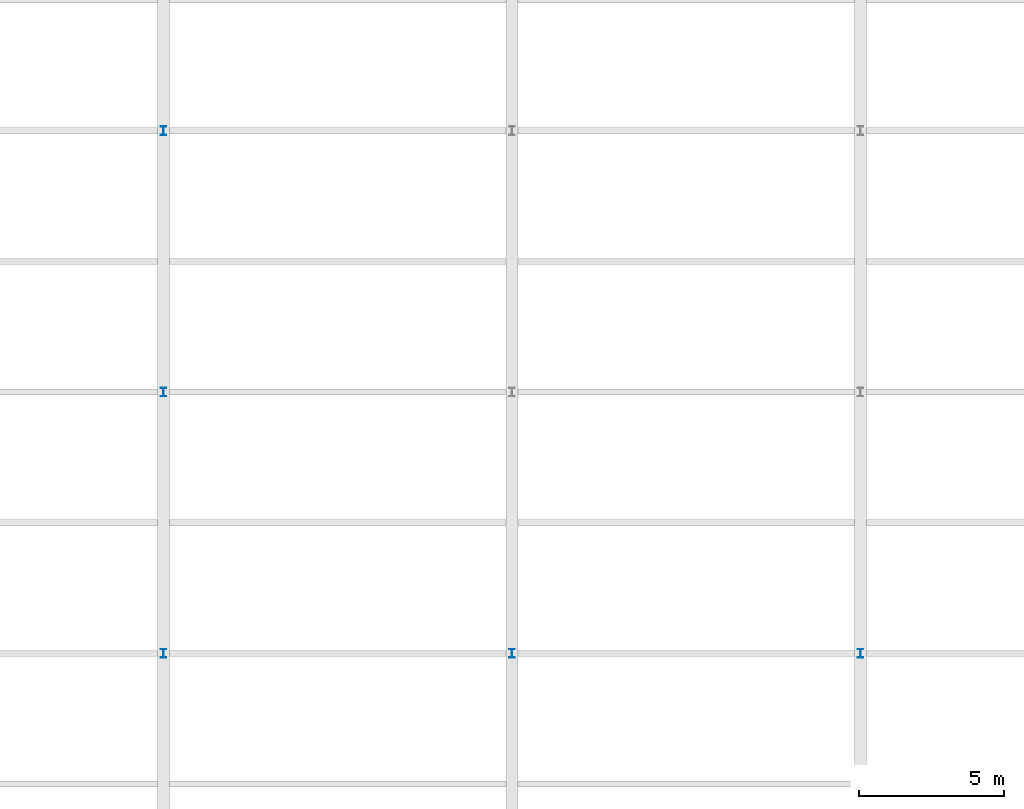
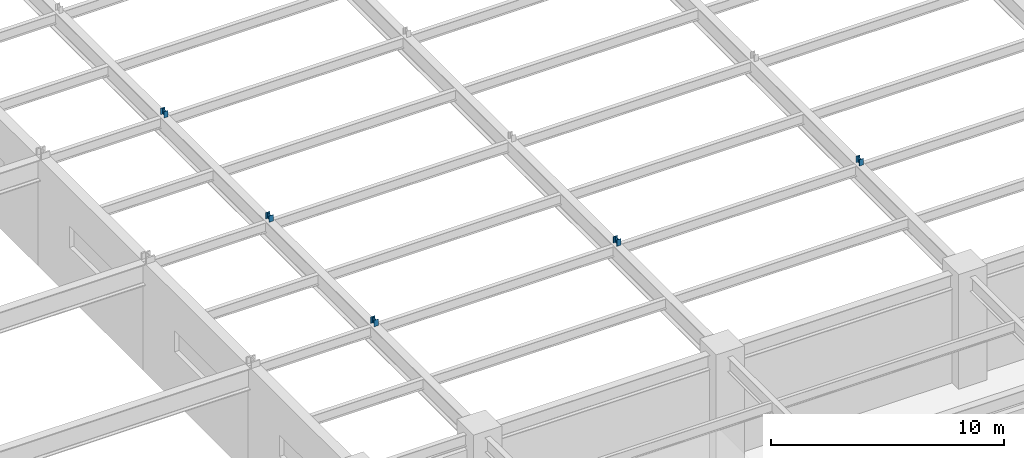
# One storey, part 71 of 105: 5 members.
"""IFC4 building model written with IfcOpenShell, lengths in metres."""

from ifc_helpers import new_model, si_unit, direction, frame, origin, origin_2d, place, context, subcontext, project, spatial, i_section, extrude, material, material_profile, profile_set, type_object, element, save


model = new_model("IFC4")

# Units and contexts
model_context = context("Model", 3, precision=1e-05, world=origin(), true_north=direction((0.0, 1.0)))
body_context = subcontext(model_context, "Body", "Model", "MODEL_VIEW")
ifc_project = project(units=[si_unit("LENGTHUNIT", "METRE"), si_unit("AREAUNIT", "SQUARE_METRE"), si_unit("VOLUMEUNIT", "CUBIC_METRE"), si_unit("PLANEANGLEUNIT", "RADIAN"), si_unit("MASSUNIT", "GRAM", prefix="KILO")], contexts=[model_context])

# Site, building, storey
site_placement = place(None, origin())
site = spatial("IfcSite", under=ifc_project, at=site_placement, CompositionType="ELEMENT")
building_placement = place(site_placement, origin())
building = spatial("IfcBuilding", under=site, at=building_placement, Name="Kaldorvane Square Convention Centre", CompositionType="ELEMENT")
storey_placement = place(building_placement, frame((0.0, 0.0, 6.0)))
storey = spatial("IfcBuildingStorey", under=building, at=storey_placement, Name="L01", CompositionType="ELEMENT", Elevation=6.0)

# Members
ifc_material = material(Name="Steel ASTM A992 Gr. 50", Category="steel")
ifc_material_profile = material_profile(ifc_material, i_section(OverallWidth=0.2032928466796875, OverallDepth=0.3032989501953125, WebThickness=0.00750732421875, FlangeThickness=0.0131072998046875, FilletRadius=0.01019287109375, at=origin_2d()), Name="W12X40")
ifc_profile_set = profile_set([ifc_material_profile], Name="Steel ASTM A992 Gr. 50")
member_type = type_object("IfcMemberType", Name="MB-HG-W12X40", PredefinedType="POST", material=ifc_profile_set)
for number, where, z_axis, x_axis, name in (
    (1, (30.0, 27.0, 5.675994873046875), (0.0, 0.0, 1.0), (1.0, 0.0, 0.0), "Exhibition Hall Ceiling Girder HG-01 Hanger 1"),
    (2, (30.0, 36.0, 5.675994873046875), (0.0, 0.0, 1.0), (1.0, 0.0, 0.0), "Exhibition Hall Ceiling Girder HG-01 Hanger 2"),
    (3, (30.0, 45.0, 5.675994873046875), (0.0, 0.0, 1.0), (1.0, 0.0, 0.0), "Exhibition Hall Ceiling Girder HG-01 Hanger 3"),
    (4, (42.0, 27.0, 5.675994873046875), (0.0, 0.0, 1.0), (1.0, 0.0, 0.0), "Exhibition Hall Ceiling Girder HG-02 Hanger 1"),
    (5, (54.0, 27.0, 5.675994873046875), (0.0, 0.0, 1.0), (1.0, 0.0, 0.0), "Exhibition Hall Ceiling Girder HG-03 Hanger 1"),
):
    element("IfcMember", number, at=place(storey_placement, frame(where, z_axis=z_axis, x_axis=x_axis)), inside=storey, type_object=member_type, Name=name, PredefinedType="POST", context=body_context, shape_type="SweptSolid", body=[
        extrude(i_section(OverallWidth=0.2032928466796875, OverallDepth=0.3032989501953125, WebThickness=0.00750732421875, FlangeThickness=0.0131072998046875, FilletRadius=0.01019287109375, at=origin_2d()), origin(), (0.0, 0.0, 1.0), 0.3332977294921875),
    ])

save(model, "model.ifc")
